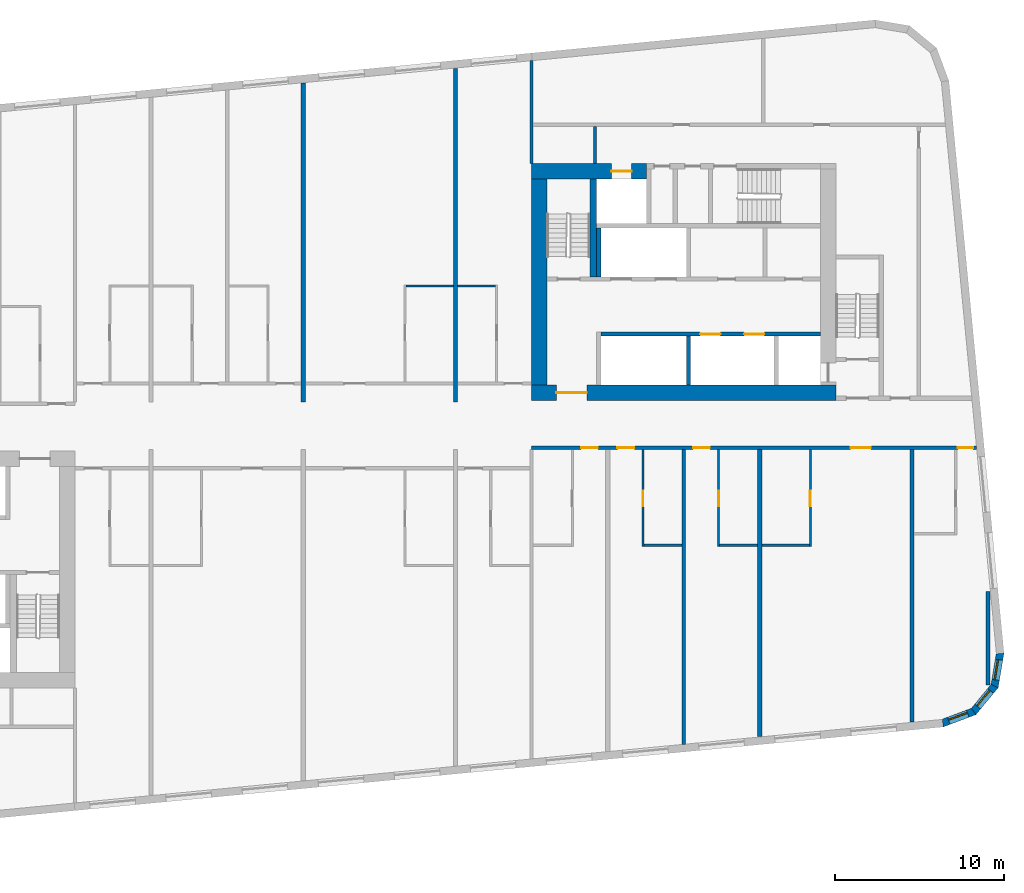
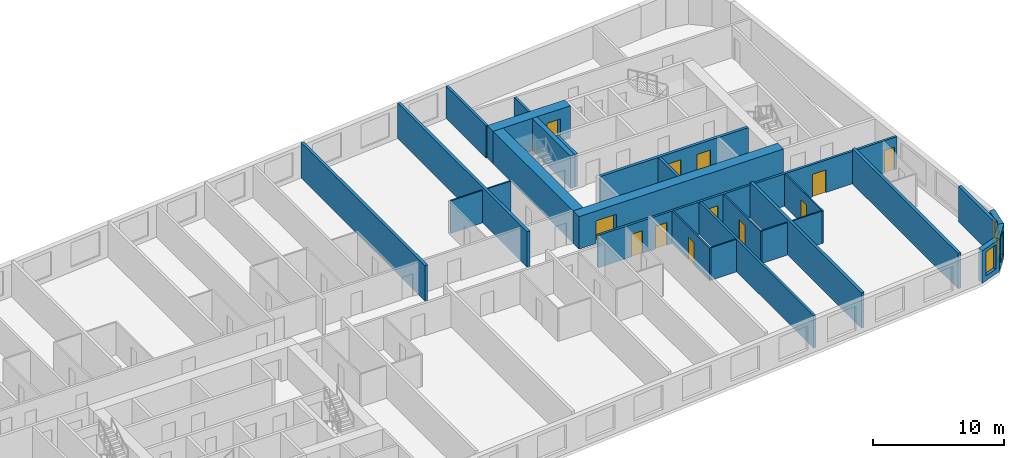
# One storey, part 6 of 12: 27 walls, 12 doors, 3 windows, 15 openings.
"""IFC4 building model written with IfcOpenShell, lengths in metres."""

from ifc_helpers import new_model, si_unit, direction, frame, frame_2d, origin, place, context, subcontext, project, spatial, polyline, rectangle, outline, extrude, material, layer, layer_set, type_object, element, fill, save


model = new_model("IFC4")

# Units and contexts
model_context = context("Model", 3, precision=1e-05, world=origin(), true_north=direction((0.0, 1.0)))
body_context = subcontext(model_context, "Body", "Model", "MODEL_VIEW")
ifc_project = project(units=[si_unit("LENGTHUNIT", "METRE"), si_unit("AREAUNIT", "SQUARE_METRE"), si_unit("VOLUMEUNIT", "CUBIC_METRE"), si_unit("PLANEANGLEUNIT", "RADIAN"), si_unit("MASSUNIT", "GRAM", prefix="KILO")], contexts=[model_context])

# Site, building, storey
site_placement = place(None, origin())
site = spatial("IfcSite", under=ifc_project, at=site_placement, CompositionType="ELEMENT")
building_placement = place(site_placement, origin())
building = spatial("IfcBuilding", under=site, at=building_placement, Name="Kajstack Hotel Tower", CompositionType="ELEMENT")
storey_placement = place(building_placement, frame((0.0, 0.0, 173.5)))
storey = spatial("IfcBuildingStorey", under=building, at=storey_placement, Name="L40", CompositionType="ELEMENT", Elevation=173.5)

# Wall, opening, door
ifc_material_1 = material(Name="Concrete C60/75", Category="concrete")
ifc_layer_1 = layer(ifc_material_1, 0.89990234375)
ifc_layer_set_1 = layer_set([ifc_layer_1], Name="Core wall 900")
wall_type_1 = type_object("IfcWallType", Name="Core wall 900", PredefinedType="SHEAR", material=ifc_layer_set_1)
wall_1_placement = place(storey_placement, frame((13.5, 1.949951171875, 0.0), z_axis=(0.0, 0.0, 1.0), x_axis=(1.0, 0.0, 0.0)))
wall_1 = element("IfcWall", 1, at=wall_1_placement, inside=storey, type_object=wall_type_1, Name="Core wall E RN", PredefinedType="SHEAR", context=body_context, shape_type="SweptSolid", body=[
    extrude(rectangle(XDim=18.0, YDim=0.89990234375, at=frame_2d((9.0, 0.0))), origin(), (0.0, 0.0, 1.0), 3.02001953125),
])
opening_1_placement = place(wall_1_placement, frame((1.47509765625, 0.0, 0.0)))
opening_1 = element("IfcOpeningElement", 2, at=opening_1_placement, cuts=wall_1, Name="Opening 40E07", PredefinedType="OPENING", context=body_context, shape_type="SweptSolid", body=[
    extrude(rectangle(XDim=1.800048828125, YDim=2.10009765625, at=frame_2d((0.89990234375, 1.050048828125))), frame((0.0, 0.4599609375, 0.0), z_axis=(0.0, -1.0, 0.0), x_axis=(1.0, 0.0, 0.0)), (0.0, 0.0, 1.0), 0.919921875),
])
ifc_material_2 = material(Name="Glazed steel frame, fire-rated glass", Category="steel")
door_type_1 = type_object("IfcDoorType", Name="Lobby double door 1800", OperationType="DOUBLE_DOOR_DOUBLE_SWING", PredefinedType="DOOR", material=ifc_material_2)
door_1_placement = place(opening_1_placement, origin())
door_1 = element("IfcDoor", 3, at=door_1_placement, inside=storey, type_object=door_type_1, Name="Door 40E07", OperationType="DOUBLE_DOOR_DOUBLE_SWING", OverallHeight=2.10009765625, OverallWidth=1.800048828125, PredefinedType="DOOR", context=body_context, shape_type="SweptSolid", body=[
    extrude(rectangle(XDim=1.800048828125, YDim=2.10009765625, at=frame_2d((0.89990234375, 1.050048828125))), frame((0.0, 0.02490234375, 0.0), z_axis=(0.0, -1.0, 0.0), x_axis=(1.0, 0.0, 0.0)), (0.0, 0.0, 1.0), 0.050048828125),
])
fill(opening_1, door_1)

wall_2_placement = place(storey_placement, frame((13.5, 15.050048828125, 0.0), z_axis=(0.0, 0.0, 1.0), x_axis=(1.0, 0.0, 0.0)))
wall_2 = element("IfcWall", 4, at=wall_2_placement, inside=storey, type_object=wall_type_1, Name="Core wall E RS", PredefinedType="SHEAR", context=body_context, shape_type="SweptSolid", body=[
    extrude(rectangle(XDim=6.800048828125, YDim=0.89990234375, at=frame_2d((3.39990234375, 0.0))), origin(), (0.0, 0.0, 1.0), 3.02001953125),
])
opening_2_placement = place(wall_2_placement, frame((4.72509765625, 0.0, 0.0)))
opening_2 = element("IfcOpeningElement", 5, at=opening_2_placement, cuts=wall_2, Name="Opening LD-SV2", PredefinedType="OPENING", context=body_context, shape_type="SweptSolid", body=[
    extrude(rectangle(XDim=1.199951171875, YDim=2.10009765625, at=frame_2d((0.60009765625, 1.050048828125))), frame((0.0, 0.4599609375, 0.0), z_axis=(0.0, -1.0, 0.0), x_axis=(1.0, 0.0, 0.0)), (0.0, 0.0, 1.0), 0.919921875),
])
ifc_material_3 = material(Name="Stainless steel", Category="steel")
door_type_2 = type_object("IfcDoorType", Name="Lift landing door 1200", OperationType="SLIDING_TO_LEFT", PredefinedType="DOOR", material=ifc_material_3)
door_2_placement = place(opening_2_placement, origin())
door_2 = element("IfcDoor", 6, at=door_2_placement, inside=storey, type_object=door_type_2, Name="Landing door SV2", OperationType="SLIDING_TO_LEFT", OverallHeight=2.10009765625, OverallWidth=1.199951171875, PredefinedType="DOOR", context=body_context, shape_type="SweptSolid", body=[
    extrude(rectangle(XDim=1.199951171875, YDim=2.10009765625, at=frame_2d((0.60009765625, 1.050048828125))), frame((0.0, 0.02490234375, 0.0), z_axis=(0.0, -1.0, 0.0), x_axis=(1.0, 0.0, 0.0)), (0.0, 0.0, 1.0), 0.050048828125),
])
fill(opening_2, door_2)

# Wall
wall_3_placement = place(storey_placement, frame((13.949951171875, 2.39990234375, 0.0), z_axis=(0.0, 0.0, 1.0), x_axis=(0.0, 1.0, 0.0)))
element("IfcWall", 7, at=wall_3_placement, inside=storey, type_object=wall_type_1, Name="Core wall E RE", PredefinedType="SHEAR", context=body_context, shape_type="SweptSolid", body=[
    extrude(rectangle(XDim=12.2001953125, YDim=0.89990234375, at=frame_2d((6.10009765625, 0.0))), origin(), (0.0, 0.0, 1.0), 3.02001953125),
])

# Wall, openings, doors
ifc_material_4 = material(Name="Gypsum board on steel studs, mineral wool", Category="steel")
ifc_layer_2 = layer(ifc_material_4, 0.199951171875)
ifc_layer_set_2 = layer_set([ifc_layer_2], Name="Corridor wall 200")
wall_type_2 = type_object("IfcWallType", Name="Corridor wall 200", PredefinedType="PARTITIONING", material=ifc_layer_set_2)
wall_4_placement = place(storey_placement, frame((13.5, -1.300048828125, 0.0), z_axis=(0.0, 0.0, 1.0), x_axis=(1.0, 0.0, 0.0)))
wall_4 = element("IfcWall", 8, at=wall_4_placement, inside=storey, type_object=wall_type_2, Name="G-wall-L40-032", PredefinedType="PARTITIONING", context=body_context, shape_type="SweptSolid", body=[
    extrude(rectangle(XDim=26.31689453125, YDim=0.199951171875, at=frame_2d((13.158447265625, 0.0))), origin(), (0.0, 0.0, 1.0), 3.02001953125),
])
opening_3_placement = place(wall_4_placement, frame((2.925048828125, 0.0, 0.0)))
opening_3 = element("IfcOpeningElement", 9, at=opening_3_placement, cuts=wall_4, Name="Opening 40031", PredefinedType="OPENING", context=body_context, shape_type="SweptSolid", body=[
    extrude(rectangle(XDim=1.0, YDim=2.10009765625, at=frame_2d((0.5, 1.050048828125))), frame((0.0, 0.10986328125, 0.0), z_axis=(0.0, -1.0, 0.0), x_axis=(1.0, 0.0, 0.0)), (0.0, 0.0, 1.0), 0.219970703125),
])
opening_4_placement = place(wall_4_placement, frame((5.074951171875, 0.0, 0.0)))
opening_4 = element("IfcOpeningElement", 10, at=opening_4_placement, cuts=wall_4, Name="Opening 40033", PredefinedType="OPENING", context=body_context, shape_type="SweptSolid", body=[
    extrude(rectangle(XDim=1.0, YDim=2.10009765625, at=frame_2d((0.5, 1.050048828125))), frame((0.0, 0.10986328125, 0.0), z_axis=(0.0, -1.0, 0.0), x_axis=(1.0, 0.0, 0.0)), (0.0, 0.0, 1.0), 0.219970703125),
])
opening_5_placement = place(wall_4_placement, frame((9.550048828125, 0.0, 0.0)))
opening_5 = element("IfcOpeningElement", 11, at=opening_5_placement, cuts=wall_4, Name="Opening 40035", PredefinedType="OPENING", context=body_context, shape_type="SweptSolid", body=[
    extrude(rectangle(XDim=1.0, YDim=2.10009765625, at=frame_2d((0.5, 1.050048828125))), frame((0.0, 0.10986328125, 0.0), z_axis=(0.0, -1.0, 0.0), x_axis=(1.0, 0.0, 0.0)), (0.0, 0.0, 1.0), 0.219970703125),
])
opening_6_placement = place(wall_4_placement, frame((18.862060546875, 0.0, 0.0)))
opening_6 = element("IfcOpeningElement", 12, at=opening_6_placement, cuts=wall_4, Name="Opening 40037", PredefinedType="OPENING", context=body_context, shape_type="SweptSolid", body=[
    extrude(rectangle(XDim=1.199951171875, YDim=2.10009765625, at=frame_2d((0.60009765625, 1.050048828125))), frame((0.0, 0.10986328125, 0.0), z_axis=(0.0, -1.0, 0.0), x_axis=(1.0, 0.0, 0.0)), (0.0, 0.0, 1.0), 0.219970703125),
])
opening_7_placement = place(wall_4_placement, frame((25.2080078125, 0.0, 0.0)))
opening_7 = element("IfcOpeningElement", 13, at=opening_7_placement, cuts=wall_4, Name="Opening 40039", PredefinedType="OPENING", context=body_context, shape_type="SweptSolid", body=[
    extrude(rectangle(XDim=0.89990234375, YDim=2.10009765625, at=frame_2d((0.449951171875, 1.050048828125))), frame((0.0, 0.10986328125, 0.0), z_axis=(0.0, -1.0, 0.0), x_axis=(1.0, 0.0, 0.0)), (0.0, 0.0, 1.0), 0.219970703125),
])
ifc_material_5 = material(Name="Oak veneer on timber core, fire-rated leaf", Category="wood")
door_type_3 = type_object("IfcDoorType", Name="Flat entrance door 1000", OperationType="SINGLE_SWING_LEFT", PredefinedType="DOOR", material=ifc_material_5)
door_3_placement = place(opening_3_placement, origin())
door_3 = element("IfcDoor", 14, at=door_3_placement, inside=storey, type_object=door_type_3, Name="G-door-L40-31", OperationType="SINGLE_SWING_LEFT", OverallHeight=2.10009765625, OverallWidth=1.0, PredefinedType="DOOR", context=body_context, shape_type="SweptSolid", body=[
    extrude(rectangle(XDim=1.0, YDim=2.10009765625, at=frame_2d((0.5, 1.050048828125))), frame((0.0, 0.02490234375, 0.0), z_axis=(0.0, -1.0, 0.0), x_axis=(1.0, 0.0, 0.0)), (0.0, 0.0, 1.0), 0.050048828125),
])
fill(opening_3, door_3)
door_4_placement = place(opening_4_placement, origin())
door_4 = element("IfcDoor", 15, at=door_4_placement, inside=storey, type_object=door_type_3, Name="G-door-L40-33", OperationType="SINGLE_SWING_LEFT", OverallHeight=2.10009765625, OverallWidth=1.0, PredefinedType="DOOR", context=body_context, shape_type="SweptSolid", body=[
    extrude(rectangle(XDim=1.0, YDim=2.10009765625, at=frame_2d((0.5, 1.050048828125))), frame((0.0, 0.02490234375, 0.0), z_axis=(0.0, -1.0, 0.0), x_axis=(1.0, 0.0, 0.0)), (0.0, 0.0, 1.0), 0.050048828125),
])
fill(opening_4, door_4)
door_5_placement = place(opening_5_placement, origin())
door_5 = element("IfcDoor", 16, at=door_5_placement, inside=storey, type_object=door_type_3, Name="G-door-L40-35", OperationType="SINGLE_SWING_LEFT", OverallHeight=2.10009765625, OverallWidth=1.0, PredefinedType="DOOR", context=body_context, shape_type="SweptSolid", body=[
    extrude(rectangle(XDim=1.0, YDim=2.10009765625, at=frame_2d((0.5, 1.050048828125))), frame((0.0, 0.02490234375, 0.0), z_axis=(0.0, -1.0, 0.0), x_axis=(1.0, 0.0, 0.0)), (0.0, 0.0, 1.0), 0.050048828125),
])
fill(opening_5, door_5)
door_type_4 = type_object("IfcDoorType", Name="Flat entrance door 1200", OperationType="SINGLE_SWING_LEFT", PredefinedType="DOOR", material=ifc_material_5)
door_6_placement = place(opening_6_placement, origin())
door_6 = element("IfcDoor", 17, at=door_6_placement, inside=storey, type_object=door_type_4, Name="G-door-L40-37", OperationType="SINGLE_SWING_LEFT", OverallHeight=2.10009765625, OverallWidth=1.199951171875, PredefinedType="DOOR", context=body_context, shape_type="SweptSolid", body=[
    extrude(rectangle(XDim=1.199951171875, YDim=2.10009765625, at=frame_2d((0.60009765625, 1.050048828125))), frame((0.0, 0.02490234375, 0.0), z_axis=(0.0, -1.0, 0.0), x_axis=(1.0, 0.0, 0.0)), (0.0, 0.0, 1.0), 0.050048828125),
])
fill(opening_6, door_6)
ifc_material_6 = material(Name="Painted timber door leaf", Category="wood")
door_type_5 = type_object("IfcDoorType", Name="Room door 900", OperationType="SINGLE_SWING_LEFT", PredefinedType="DOOR", material=ifc_material_6)
door_7_placement = place(opening_7_placement, origin())
door_7 = element("IfcDoor", 18, at=door_7_placement, inside=storey, type_object=door_type_5, Name="G-door-L40-39", OperationType="SINGLE_SWING_LEFT", OverallHeight=2.10009765625, OverallWidth=0.89990234375, PredefinedType="DOOR", context=body_context, shape_type="SweptSolid", body=[
    extrude(rectangle(XDim=0.89990234375, YDim=2.10009765625, at=frame_2d((0.449951171875, 1.050048828125))), frame((0.0, 0.02490234375, 0.0), z_axis=(0.0, -1.0, 0.0), x_axis=(1.0, 0.0, 0.0)), (0.0, 0.0, 1.0), 0.050048828125),
])
fill(opening_7, door_7)

# Walls
ifc_material_7 = material(Name="Twin-frame gypsum board on steel studs, mineral wool", Category="steel")
ifc_layer_3 = layer(ifc_material_7, 0.199951171875)
ifc_layer_set_3 = layer_set([ifc_layer_3], Name="Demising wall 200")
wall_type_3 = type_object("IfcWallType", Name="Demising wall 200", PredefinedType="PARTITIONING", material=ifc_layer_set_3)
wall_5_placement = place(storey_placement, frame((13.5, 15.5, 0.0), z_axis=(0.0, 0.0, 1.0), x_axis=(0.0, 1.0, 0.0)))
element("IfcWall", 19, at=wall_5_placement, inside=storey, type_object=wall_type_3, Name="G-wall-L40-001", PredefinedType="PARTITIONING", context=body_context, shape_type="SweptSolid", body=[
    extrude(rectangle(XDim=6.089111328125, YDim=0.199951171875, at=frame_2d((3.04443359375, 0.0))), origin(), (0.0, 0.0, 1.0), 3.02001953125),
])
wall_6_placement = place(storey_placement, frame((22.5, -18.833984375, 0.0), z_axis=(0.0, 0.0, 1.0), x_axis=(0.0, 1.0, 0.0)))
element("IfcWall", 20, at=wall_6_placement, inside=storey, type_object=wall_type_3, Name="G-wall-L40-044", PredefinedType="PARTITIONING", context=body_context, shape_type="SweptSolid", body=[
    extrude(rectangle(XDim=17.43408203125, YDim=0.199951171875, at=frame_2d((8.717041015625, 0.0))), origin(), (0.0, 0.0, 1.0), 3.02001953125),
])

# Wall, opening, window
ifc_material_8 = material(Name="Terracotta-faced brick masonry", Category="masonry")
ifc_layer_4 = layer(ifc_material_8, 0.449951171875)
ifc_layer_set_4 = layer_set([ifc_layer_4], Name="EW-TERRA")
wall_type_4 = type_object("IfcWallType", Name="EW-TERRA", PredefinedType="SOLIDWALL", material=ifc_layer_set_4)
wall_7_placement = place(storey_placement, frame((37.76123046875, -17.598388671875, 0.0), z_axis=(0.0, 0.0, 1.0), x_axis=(0.936677599948, 0.350192909346, 0.0)))
wall_7 = element("IfcWall", 21, at=wall_7_placement, inside=storey, type_object=wall_type_4, Name="E-wall-L40-05-00", PredefinedType="SOLIDWALL", context=body_context, shape_type="SweptSolid", body=[
    extrude(outline(polyline([(0.0, -0.22509765625), (2.070556640625, -0.224853515625), (1.949951171875, 0.22509765625), (0.12060546875, 0.22509765625), (0.0, -0.22509765625)])), origin(), (0.0, 0.0, 1.0), 3.02001953125),
])
opening_8_placement = place(wall_7_placement, frame((0.435302734375, 0.0, 0.449951171875)))
opening_8 = element("IfcOpeningElement", 22, at=opening_8_placement, cuts=wall_7, Name="Opening W3", PredefinedType="OPENING", context=body_context, shape_type="SweptSolid", body=[
    extrude(rectangle(XDim=1.199951171875, YDim=2.25, at=frame_2d((0.60009765625, 1.125))), frame((0.0, 0.23486328125, 0.0), z_axis=(0.0, -1.0, 0.0), x_axis=(1.0, 0.0, 0.0)), (0.0, 0.0, 1.0), 0.469970703125),
])
ifc_material_9 = material(Name="Timber-aluminium window, triple glazed", Category="wood")
window_type = type_object("IfcWindowType", Name="WG3", PartitioningType="SINGLE_PANEL", PredefinedType="WINDOW", material=ifc_material_9)
window_1_placement = place(opening_8_placement, origin())
window_1 = element("IfcWindow", 23, at=window_1_placement, inside=storey, type_object=window_type, Name="Window W3 L40-05", OverallHeight=2.25, OverallWidth=1.199951171875, PartitioningType="SINGLE_PANEL", PredefinedType="WINDOW", context=body_context, shape_type="SweptSolid", body=[
    extrude(rectangle(XDim=1.199951171875, YDim=2.25, at=frame_2d((0.60009765625, 1.125))), frame((0.0, 0.090087890625, 0.0), z_axis=(0.0, -1.0, 0.0), x_axis=(1.0, 0.0, 0.0)), (0.0, 0.0, 1.0), 0.06005859375),
])
fill(opening_8, window_1)

wall_8_placement = place(storey_placement, frame((39.60595703125, -16.94091796875, 0.0), z_axis=(0.0, 0.0, 1.0), x_axis=(0.636116318187, 0.771593176315, 0.0)))
wall_8 = element("IfcWall", 24, at=wall_8_placement, inside=storey, type_object=wall_type_4, Name="E-wall-L40-06-00", PredefinedType="SOLIDWALL", context=body_context, shape_type="SweptSolid", body=[
    extrude(outline(polyline([(0.0, -0.224853515625), (2.070556640625, -0.224853515625), (1.949951171875, 0.22509765625), (0.12060546875, 0.22509765625), (0.0, -0.224853515625)])), origin(), (0.0, 0.0, 1.0), 3.02001953125),
])
opening_9_placement = place(wall_8_placement, frame((0.435302734375, 0.0, 0.449951171875)))
opening_9 = element("IfcOpeningElement", 25, at=opening_9_placement, cuts=wall_8, Name="Opening W3", PredefinedType="OPENING", context=body_context, shape_type="SweptSolid", body=[
    extrude(rectangle(XDim=1.199951171875, YDim=2.25, at=frame_2d((0.60009765625, 1.125))), frame((0.0, 0.23486328125, 0.0), z_axis=(0.0, -1.0, 0.0), x_axis=(1.0, 0.0, 0.0)), (0.0, 0.0, 1.0), 0.469970703125),
])
window_2_placement = place(opening_9_placement, origin())
window_2 = element("IfcWindow", 26, at=window_2_placement, inside=storey, type_object=window_type, Name="Window W3 L40-06", OverallHeight=2.25, OverallWidth=1.199951171875, PartitioningType="SINGLE_PANEL", PredefinedType="WINDOW", context=body_context, shape_type="SweptSolid", body=[
    extrude(rectangle(XDim=1.199951171875, YDim=2.25, at=frame_2d((0.60009765625, 1.125))), frame((0.0, 0.090087890625, 0.0), z_axis=(0.0, -1.0, 0.0), x_axis=(1.0, 0.0, 0.0)), (0.0, 0.0, 1.0), 0.06005859375),
])
fill(opening_9, window_2)

wall_9_placement = place(storey_placement, frame((40.874755859375, -15.44921875, 0.0), z_axis=(0.0, 0.0, 1.0), x_axis=(0.164953448126, 0.986301353518, 0.0)))
wall_9 = element("IfcWall", 27, at=wall_9_placement, inside=storey, type_object=wall_type_4, Name="E-wall-L40-07-00", PredefinedType="SOLIDWALL", context=body_context, shape_type="SweptSolid", body=[
    extrude(outline(polyline([(0.0, -0.224853515625), (2.070556640625, -0.22509765625), (1.9501953125, 0.224853515625), (0.12060546875, 0.22509765625), (0.0, -0.224853515625)])), origin(), (0.0, 0.0, 1.0), 3.02001953125),
])
opening_10_placement = place(wall_9_placement, frame((0.435302734375, 0.0, 0.449951171875)))
opening_10 = element("IfcOpeningElement", 28, at=opening_10_placement, cuts=wall_9, Name="Opening W3", PredefinedType="OPENING", context=body_context, shape_type="SweptSolid", body=[
    extrude(rectangle(XDim=1.199951171875, YDim=2.25, at=frame_2d((0.60009765625, 1.125))), frame((0.0, 0.23486328125, 0.0), z_axis=(0.0, -1.0, 0.0), x_axis=(1.0, 0.0, 0.0)), (0.0, 0.0, 1.0), 0.469970703125),
])
window_3_placement = place(opening_10_placement, origin())
window_3 = element("IfcWindow", 29, at=window_3_placement, inside=storey, type_object=window_type, Name="Window W3 L40-07", OverallHeight=2.25, OverallWidth=1.199951171875, PartitioningType="SINGLE_PANEL", PredefinedType="WINDOW", context=body_context, shape_type="SweptSolid", body=[
    extrude(rectangle(XDim=1.199951171875, YDim=2.25, at=frame_2d((0.60009765625, 1.125))), frame((0.0, 0.090087890625, 0.0), z_axis=(0.0, -1.0, 0.0), x_axis=(1.0, 0.0, 0.0)), (0.0, 0.0, 1.0), 0.06005859375),
])
fill(opening_10, window_3)

# Walls
ifc_material_10 = material(Name="Gypsum board and tiled backer on steel studs", Category="steel")
ifc_layer_5 = layer(ifc_material_10, 0.125)
ifc_layer_set_5 = layer_set([ifc_layer_5], Name="En-suite wall 125")
wall_type_5 = type_object("IfcWallType", Name="En-suite wall 125", PredefinedType="PARTITIONING", material=ifc_layer_set_5)
wall_10_placement = place(storey_placement, frame((6.074951171875, 8.261962890625, 0.0), z_axis=(0.0, 0.0, 1.0), x_axis=(1.0, 0.0, 0.0)))
element("IfcWall", 30, at=wall_10_placement, inside=storey, type_object=wall_type_5, Name="G-wall-L40-028", PredefinedType="PARTITIONING", context=body_context, shape_type="SweptSolid", body=[
    extrude(rectangle(XDim=2.800048828125, YDim=0.125, at=frame_2d((1.39990234375, 0.0))), origin(), (0.0, 0.0, 1.0), 3.02001953125),
])
wall_11_placement = place(storey_placement, frame((9.125, 8.261962890625, 0.0), z_axis=(0.0, 0.0, 1.0), x_axis=(1.0, 0.0, 0.0)))
element("IfcWall", 31, at=wall_11_placement, inside=storey, type_object=wall_type_5, Name="G-wall-L40-030", PredefinedType="PARTITIONING", context=body_context, shape_type="SweptSolid", body=[
    extrude(rectangle(XDim=2.25, YDim=0.125, at=frame_2d((1.125, 0.0))), origin(), (0.0, 0.0, 1.0), 3.02001953125),
])

# Wall, opening, door
wall_12_placement = place(storey_placement, frame((20.0869140625, -7.125, 0.0), z_axis=(0.0, 0.0, 1.0), x_axis=(0.0, 1.0, 0.0)))
wall_12 = element("IfcWall", 32, at=wall_12_placement, inside=storey, type_object=wall_type_5, Name="G-wall-L40-045", PredefinedType="PARTITIONING", context=body_context, shape_type="SweptSolid", body=[
    extrude(rectangle(XDim=5.72509765625, YDim=0.125, at=frame_2d((2.862548828125, 0.0))), origin(), (0.0, 0.0, 1.0), 3.02001953125),
])
opening_11_placement = place(wall_12_placement, frame((2.375, 0.0, 0.0)))
opening_11 = element("IfcOpeningElement", 33, at=opening_11_placement, cuts=wall_12, Name="Opening 40034", PredefinedType="OPENING", context=body_context, shape_type="SweptSolid", body=[
    extrude(rectangle(XDim=0.89990234375, YDim=2.10009765625, at=frame_2d((0.449951171875, 1.050048828125))), frame((0.0, 0.072509765625, 0.0), z_axis=(0.0, -1.0, 0.0), x_axis=(1.0, 0.0, 0.0)), (0.0, 0.0, 1.0), 0.14501953125),
])
door_8_placement = place(opening_11_placement, origin())
door_8 = element("IfcDoor", 34, at=door_8_placement, inside=storey, type_object=door_type_5, Name="G-door-L40-34", OperationType="SINGLE_SWING_RIGHT", OverallHeight=2.10009765625, OverallWidth=0.89990234375, PredefinedType="DOOR", context=body_context, shape_type="SweptSolid", body=[
    extrude(rectangle(XDim=0.89990234375, YDim=2.10009765625, at=frame_2d((0.449951171875, 1.050048828125))), frame((0.0, 0.02490234375, 0.0), z_axis=(0.0, -1.0, 0.0), x_axis=(1.0, 0.0, 0.0)), (0.0, 0.0, 1.0), 0.050048828125),
])
fill(opening_11, door_8)

# Wall
wall_13_placement = place(storey_placement, frame((20.14990234375, -7.06201171875, 0.0), z_axis=(0.0, 0.0, 1.0), x_axis=(1.0, 0.0, 0.0)))
element("IfcWall", 35, at=wall_13_placement, inside=storey, type_object=wall_type_5, Name="G-wall-L40-046", PredefinedType="PARTITIONING", context=body_context, shape_type="SweptSolid", body=[
    extrude(rectangle(XDim=2.25, YDim=0.125, at=frame_2d((1.125, 0.0))), origin(), (0.0, 0.0, 1.0), 3.02001953125),
])

# Wall, opening, door
wall_14_placement = place(storey_placement, frame((24.56201171875, -7.125, 0.0), z_axis=(0.0, 0.0, 1.0), x_axis=(0.0, 1.0, 0.0)))
wall_14 = element("IfcWall", 36, at=wall_14_placement, inside=storey, type_object=wall_type_5, Name="G-wall-L40-047", PredefinedType="PARTITIONING", context=body_context, shape_type="SweptSolid", body=[
    extrude(rectangle(XDim=5.72509765625, YDim=0.125, at=frame_2d((2.862548828125, 0.0))), origin(), (0.0, 0.0, 1.0), 3.02001953125),
])
opening_12_placement = place(wall_14_placement, frame((2.375, 0.0, 0.0)))
opening_12 = element("IfcOpeningElement", 37, at=opening_12_placement, cuts=wall_14, Name="Opening 40036", PredefinedType="OPENING", context=body_context, shape_type="SweptSolid", body=[
    extrude(rectangle(XDim=0.89990234375, YDim=2.10009765625, at=frame_2d((0.449951171875, 1.050048828125))), frame((0.0, 0.072509765625, 0.0), z_axis=(0.0, -1.0, 0.0), x_axis=(1.0, 0.0, 0.0)), (0.0, 0.0, 1.0), 0.14501953125),
])
door_9_placement = place(opening_12_placement, origin())
door_9 = element("IfcDoor", 38, at=door_9_placement, inside=storey, type_object=door_type_5, Name="G-door-L40-36", OperationType="SINGLE_SWING_LEFT", OverallHeight=2.10009765625, OverallWidth=0.89990234375, PredefinedType="DOOR", context=body_context, shape_type="SweptSolid", body=[
    extrude(rectangle(XDim=0.89990234375, YDim=2.10009765625, at=frame_2d((0.449951171875, 1.050048828125))), frame((0.0, 0.02490234375, 0.0), z_axis=(0.0, -1.0, 0.0), x_axis=(1.0, 0.0, 0.0)), (0.0, 0.0, 1.0), 0.050048828125),
])
fill(opening_12, door_9)

# Wall
wall_15_placement = place(storey_placement, frame((24.625, -7.06201171875, 0.0), z_axis=(0.0, 0.0, 1.0), x_axis=(1.0, 0.0, 0.0)))
element("IfcWall", 39, at=wall_15_placement, inside=storey, type_object=wall_type_5, Name="G-wall-L40-048", PredefinedType="PARTITIONING", context=body_context, shape_type="SweptSolid", body=[
    extrude(rectangle(XDim=2.25, YDim=0.125, at=frame_2d((1.125, 0.0))), origin(), (0.0, 0.0, 1.0), 3.02001953125),
])

# Wall, opening, door
wall_16_placement = place(storey_placement, frame((29.988037109375, -7.125, 0.0), z_axis=(0.0, 0.0, 1.0), x_axis=(0.0, 1.0, 0.0)))
wall_16 = element("IfcWall", 40, at=wall_16_placement, inside=storey, type_object=wall_type_5, Name="G-wall-L40-049", PredefinedType="PARTITIONING", context=body_context, shape_type="SweptSolid", body=[
    extrude(rectangle(XDim=5.72509765625, YDim=0.125, at=frame_2d((2.862548828125, 0.0))), origin(), (0.0, 0.0, 1.0), 3.02001953125),
])
opening_13_placement = place(wall_16_placement, frame((2.375, 0.0, 0.0)))
opening_13 = element("IfcOpeningElement", 41, at=opening_13_placement, cuts=wall_16, Name="Opening 40038", PredefinedType="OPENING", context=body_context, shape_type="SweptSolid", body=[
    extrude(rectangle(XDim=0.89990234375, YDim=2.10009765625, at=frame_2d((0.449951171875, 1.050048828125))), frame((0.0, 0.072509765625, 0.0), z_axis=(0.0, -1.0, 0.0), x_axis=(1.0, 0.0, 0.0)), (0.0, 0.0, 1.0), 0.14501953125),
])
door_10_placement = place(opening_13_placement, origin())
door_10 = element("IfcDoor", 42, at=door_10_placement, inside=storey, type_object=door_type_5, Name="G-door-L40-38", OperationType="SINGLE_SWING_LEFT", OverallHeight=2.10009765625, OverallWidth=0.89990234375, PredefinedType="DOOR", context=body_context, shape_type="SweptSolid", body=[
    extrude(rectangle(XDim=0.89990234375, YDim=2.10009765625, at=frame_2d((0.449951171875, 1.050048828125))), frame((0.0, 0.02490234375, 0.0), z_axis=(0.0, -1.0, 0.0), x_axis=(1.0, 0.0, 0.0)), (0.0, 0.0, 1.0), 0.050048828125),
])
fill(opening_13, door_10)

# Walls
wall_17_placement = place(storey_placement, frame((27.125, -7.06201171875, 0.0), z_axis=(0.0, 0.0, 1.0), x_axis=(1.0, 0.0, 0.0)))
element("IfcWall", 43, at=wall_17_placement, inside=storey, type_object=wall_type_5, Name="G-wall-L40-050", PredefinedType="PARTITIONING", context=body_context, shape_type="SweptSolid", body=[
    extrude(rectangle(XDim=2.800048828125, YDim=0.125, at=frame_2d((1.39990234375, 0.0))), origin(), (0.0, 0.0, 1.0), 3.02001953125),
])
ifc_material_11 = material(Name="Concrete C50/60", Category="concrete")
ifc_layer_6 = layer(ifc_material_11, 0.300048828125)
ifc_layer_set_6 = layer_set([ifc_layer_6], Name="Hoistway divider wall 300")
wall_type_6 = type_object("IfcWallType", Name="Hoistway divider wall 300", PredefinedType="SHEAR", material=ifc_layer_set_6)
wall_18_placement = place(storey_placement, frame((22.77490234375, 2.39990234375, 0.0), z_axis=(0.0, 0.0, 1.0), x_axis=(0.0, 1.0, 0.0)))
element("IfcWall", 44, at=wall_18_placement, inside=storey, type_object=wall_type_6, Name="Core wall E AP2", PredefinedType="SHEAR", context=body_context, shape_type="SweptSolid", body=[
    extrude(rectangle(XDim=2.900146484375, YDim=0.25, at=frame_2d((1.4501953125, 0.0))), origin(), (0.0, 0.0, 1.0), 3.02001953125),
])
ifc_layer_7 = layer(ifc_material_11, 0.25)
ifc_layer_set_7 = layer_set([ifc_layer_7], Name="RC cross wall 250 C50/60")
wall_type_7 = type_object("IfcWallType", Name="RC cross wall 250 C50/60", PredefinedType="SHEAR", material=ifc_layer_set_7)
wall_19_placement = place(storey_placement, frame((0.0, 1.39990234375, 0.0), z_axis=(0.0, 0.0, 1.0), x_axis=(0.0, 1.0, 0.0)))
element("IfcWall", 45, at=wall_19_placement, inside=storey, type_object=wall_type_7, Name="S-wall-L40-07", PredefinedType="SHEAR", context=body_context, shape_type="SweptSolid", body=[
    extrude(rectangle(XDim=18.867431640625, YDim=0.25, at=frame_2d((9.43359375, 0.0))), origin(), (0.0, 0.0, 1.0), 3.300048828125),
])
wall_20_placement = place(storey_placement, frame((9.0, 1.39990234375, 0.0), z_axis=(0.0, 0.0, 1.0), x_axis=(0.0, 1.0, 0.0)))
element("IfcWall", 46, at=wall_20_placement, inside=storey, type_object=wall_type_7, Name="S-wall-L40-09", PredefinedType="SHEAR", context=body_context, shape_type="SweptSolid", body=[
    extrude(rectangle(XDim=19.734130859375, YDim=0.25, at=frame_2d((9.8671875, 0.0))), origin(), (0.0, 0.0, 1.0), 3.300048828125),
])
wall_21_placement = place(storey_placement, frame((27.0, -18.378662109375, 0.0), z_axis=(0.0, 0.0, 1.0), x_axis=(0.0, 1.0, 0.0)))
element("IfcWall", 47, at=wall_21_placement, inside=storey, type_object=wall_type_7, Name="S-wall-L40-11", PredefinedType="SHEAR", context=body_context, shape_type="SweptSolid", body=[
    extrude(rectangle(XDim=16.978759765625, YDim=0.25, at=frame_2d((8.4892578125, 0.0))), origin(), (0.0, 0.0, 1.0), 3.300048828125),
])
wall_22_placement = place(storey_placement, frame((36.0, -17.51220703125, 0.0), z_axis=(0.0, 0.0, 1.0), x_axis=(0.0, 1.0, 0.0)))
element("IfcWall", 48, at=wall_22_placement, inside=storey, type_object=wall_type_7, Name="S-wall-L40-12", PredefinedType="SHEAR", context=body_context, shape_type="SweptSolid", body=[
    extrude(rectangle(XDim=16.1123046875, YDim=0.25, at=frame_2d((8.05615234375, 0.0))), origin(), (0.0, 0.0, 1.0), 3.300048828125),
])
wall_23_placement = place(storey_placement, frame((40.5, -15.335205078125, 0.0), z_axis=(0.0, 0.0, 1.0), x_axis=(0.0, 1.0, 0.0)))
element("IfcWall", 49, at=wall_23_placement, inside=storey, type_object=wall_type_7, Name="S-wall-L40-13", PredefinedType="SHEAR", context=body_context, shape_type="SweptSolid", body=[
    extrude(rectangle(XDim=5.5380859375, YDim=0.25, at=frame_2d((2.76904296875, 0.0))), origin(), (0.0, 0.0, 1.0), 3.300048828125),
])
ifc_layer_8 = layer(ifc_material_4, 0.199951171875)
ifc_layer_set_8 = layer_set([ifc_layer_8], Name="Service partition 200")
wall_type_8 = type_object("IfcWallType", Name="Service partition 200", PredefinedType="PARTITIONING", material=ifc_layer_set_8)
wall_24_placement = place(storey_placement, frame((17.25, 15.5, 0.0), z_axis=(0.0, 0.0, 1.0), x_axis=(0.0, 1.0, 0.0)))
element("IfcWall", 50, at=wall_24_placement, inside=storey, type_object=wall_type_8, Name="Partition E SCE", PredefinedType="PARTITIONING", context=body_context, shape_type="SweptSolid", body=[
    extrude(rectangle(XDim=2.199951171875, YDim=0.199951171875, at=frame_2d((1.10009765625, 0.0))), origin(), (0.0, 0.0, 1.0), 3.02001953125),
])

# Wall, openings, doors
ifc_layer_9 = layer(ifc_material_11, 0.25)
ifc_layer_set_9 = layer_set([ifc_layer_9], Name="Shaft wall 250")
wall_type_9 = type_object("IfcWallType", Name="Shaft wall 250", PredefinedType="SHEAR", material=ifc_layer_set_9)
wall_25_placement = place(storey_placement, frame((17.60009765625, 5.425048828125, 0.0), z_axis=(0.0, 0.0, 1.0), x_axis=(1.0, 0.0, 0.0)))
wall_25 = element("IfcWall", 51, at=wall_25_placement, inside=storey, type_object=wall_type_9, Name="Core wall E FA", PredefinedType="SHEAR", context=body_context, shape_type="SweptSolid", body=[
    extrude(rectangle(XDim=13.0, YDim=0.25, at=frame_2d((6.5, 0.0))), origin(), (0.0, 0.0, 1.0), 3.02001953125),
])
opening_14_placement = place(wall_25_placement, frame((8.47509765625, 0.0, 0.0)))
opening_14 = element("IfcOpeningElement", 52, at=opening_14_placement, cuts=wall_25, Name="Opening LD-MR7", PredefinedType="OPENING", context=body_context, shape_type="SweptSolid", body=[
    extrude(rectangle(XDim=1.199951171875, YDim=2.10009765625, at=frame_2d((0.60009765625, 1.050048828125))), frame((0.0, 0.135009765625, 0.0), z_axis=(0.0, -1.0, 0.0), x_axis=(1.0, 0.0, 0.0)), (0.0, 0.0, 1.0), 0.27001953125),
])
opening_15_placement = place(wall_25_placement, frame((5.875, 0.0, 0.0)))
opening_15 = element("IfcOpeningElement", 53, at=opening_15_placement, cuts=wall_25, Name="Opening LD-MR8", PredefinedType="OPENING", context=body_context, shape_type="SweptSolid", body=[
    extrude(rectangle(XDim=1.199951171875, YDim=2.10009765625, at=frame_2d((0.60009765625, 1.050048828125))), frame((0.0, 0.135009765625, 0.0), z_axis=(0.0, -1.0, 0.0), x_axis=(1.0, 0.0, 0.0)), (0.0, 0.0, 1.0), 0.27001953125),
])
door_11_placement = place(opening_14_placement, origin())
door_11 = element("IfcDoor", 54, at=door_11_placement, inside=storey, type_object=door_type_2, Name="Landing door MR7", OperationType="SLIDING_TO_LEFT", OverallHeight=2.10009765625, OverallWidth=1.199951171875, PredefinedType="DOOR", context=body_context, shape_type="SweptSolid", body=[
    extrude(rectangle(XDim=1.199951171875, YDim=2.10009765625, at=frame_2d((0.60009765625, 1.050048828125))), frame((0.0, 0.02490234375, 0.0), z_axis=(0.0, -1.0, 0.0), x_axis=(1.0, 0.0, 0.0)), (0.0, 0.0, 1.0), 0.050048828125),
])
fill(opening_14, door_11)
door_12_placement = place(opening_15_placement, origin())
door_12 = element("IfcDoor", 55, at=door_12_placement, inside=storey, type_object=door_type_2, Name="Landing door MR8", OperationType="SLIDING_TO_RIGHT", OverallHeight=2.10009765625, OverallWidth=1.199951171875, PredefinedType="DOOR", context=body_context, shape_type="SweptSolid", body=[
    extrude(rectangle(XDim=1.199951171875, YDim=2.10009765625, at=frame_2d((0.60009765625, 1.050048828125))), frame((0.0, 0.02490234375, 0.0), z_axis=(0.0, -1.0, 0.0), x_axis=(1.0, 0.0, 0.0)), (0.0, 0.0, 1.0), 0.050048828125),
])
fill(opening_15, door_12)

# Walls
wall_26_placement = place(storey_placement, frame((17.47509765625, 8.800048828125, 0.0), z_axis=(0.0, 0.0, 1.0), x_axis=(0.0, 1.0, 0.0)))
element("IfcWall", 56, at=wall_26_placement, inside=storey, type_object=wall_type_9, Name="Core wall E BE", PredefinedType="SHEAR", context=body_context, shape_type="SweptSolid", body=[
    extrude(rectangle(XDim=2.89990234375, YDim=0.25, at=frame_2d((1.449951171875, 0.0))), origin(), (0.0, 0.0, 1.0), 3.02001953125),
])
ifc_layer_10 = layer(ifc_material_11, 0.39990234375)
ifc_layer_set_10 = layer_set([ifc_layer_10], Name="Stair wall 400")
wall_type_10 = type_object("IfcWallType", Name="Stair wall 400", PredefinedType="SHEAR", material=ifc_layer_set_10)
wall_27_placement = place(storey_placement, frame((17.14990234375, 8.800048828125, 0.0), z_axis=(0.0, 0.0, 1.0), x_axis=(0.0, 1.0, 0.0)))
element("IfcWall", 57, at=wall_27_placement, inside=storey, type_object=wall_type_10, Name="Core wall E WW2", PredefinedType="SHEAR", context=body_context, shape_type="SweptSolid", body=[
    extrude(rectangle(XDim=5.800048828125, YDim=0.39990234375, at=frame_2d((2.89990234375, 0.0))), origin(), (0.0, 0.0, 1.0), 3.02001953125),
])

save(model, "model.ifc")
